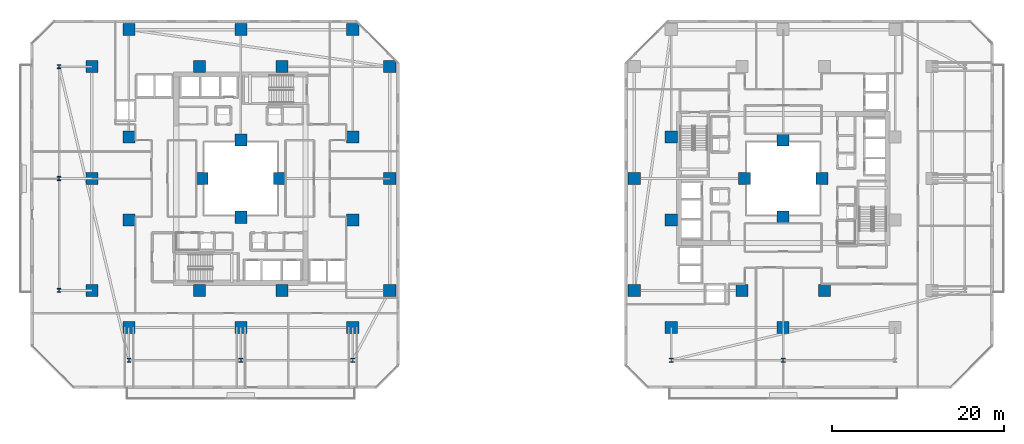
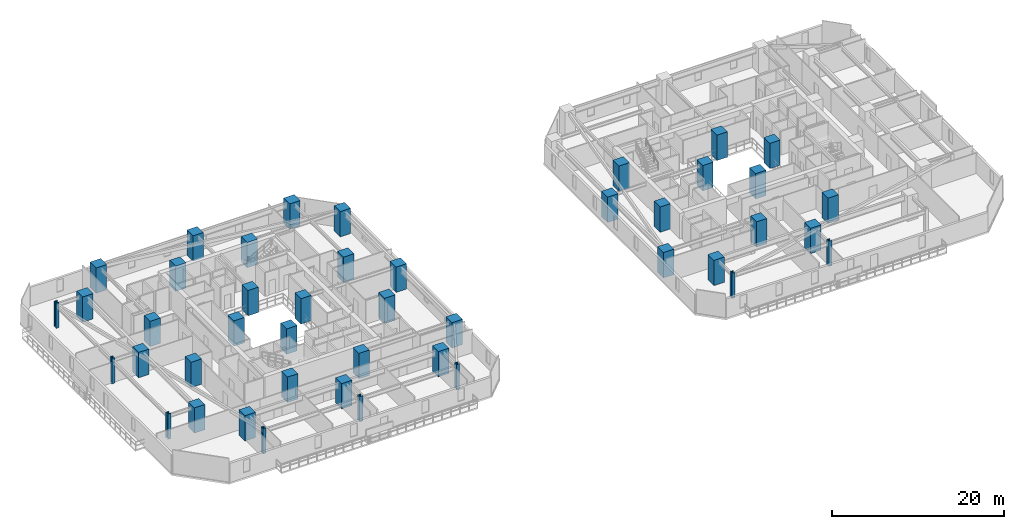
# One storey, part 1 of 33: 44 columns.
"""IFC4 building model written with IfcOpenShell, lengths in metres."""

import ifcopenshell
import ifcopenshell.guid

model = None  # the IFC model being written
_history = None  # IfcOwnerHistory: only IFC2X3 demands one
_inside = {}  # id of a spatial element -> (the spatial element, [elements in it])
_under = {}  # id of a project, library or spatial element -> (it, [spatial elements below it])
_declared = {}  # id of a project -> (the project, [libraries it declares])
_typed = {}  # id of a type object -> (the type object, [elements of that type])
_made_of = {}  # id of a material, layer set ... -> (it, [elements and type objects made of it])


def new_model(schema):
    """Start an empty IFC model of exactly this schema.

    Asked for "IFC4X3", IfcOpenShell would pick the latest addendum, in which some entities
    have other attributes; the version numbers below select the first issue.
    IFC2X3 requires an IfcOwnerHistory on every rooted entity: one is made here for all.
    """
    global model, _history
    if schema == "IFC4X3":
        model = ifcopenshell.file(schema_version=(4, 3, 0, 0))
    else:
        model = ifcopenshell.file(schema=schema)
    _inside.clear()
    _under.clear()
    _declared.clear()
    _typed.clear()
    _made_of.clear()
    _history = None
    if model.schema == "IFC2X3":
        org = make("IfcOrganization", Name="unknown")
        user = make(
            "IfcPersonAndOrganization",
            ThePerson=make("IfcPerson", FamilyName="unknown"),
            TheOrganization=org,
        )
        app = make(
            "IfcApplication",
            ApplicationDeveloper=org,
            Version="unknown",
            ApplicationFullName="unknown",
            ApplicationIdentifier="unknown",
        )
        _history = make(
            "IfcOwnerHistory",
            OwningUser=user,
            OwningApplication=app,
            ChangeAction="ADDED",
            CreationDate=0,
        )
    return model


def make(cls, **values):
    """One entity of the class cls with the attributes given. An attribute that is None is left unset."""
    return model.create_entity(
        cls, **{name: value for name, value in values.items() if value is not None}
    )


def rooted(cls, **values):
    """An entity with a GlobalId (a new one), such as an element, a storey or a relation."""
    return make(cls, GlobalId=ifcopenshell.guid.new(), OwnerHistory=_history, **values)


def si_unit(unit_type, name, prefix=None):
    """IfcSIUnit, for example si_unit("LENGTHUNIT", "METRE", prefix="MILLI")."""
    return make("IfcSIUnit", UnitType=unit_type, Prefix=prefix, Name=name)


def assignment(units):
    """IfcUnitAssignment: the units of a project."""
    return None if units is None else make("IfcUnitAssignment", Units=units)


def point(xyz):
    """IfcCartesianPoint."""
    return None if xyz is None else make("IfcCartesianPoint", Coordinates=xyz)


def direction(xyz):
    """IfcDirection."""
    return None if xyz is None else make("IfcDirection", DirectionRatios=xyz)


def frame(location, z_axis=None, x_axis=None):
    """IfcAxis2Placement3D, a coordinate frame: its origin and axes. An axis left out is left unset."""
    return make(
        "IfcAxis2Placement3D",
        Location=point(location),
        Axis=direction(z_axis),
        RefDirection=direction(x_axis),
    )


def frame_2d(location, x_axis=None):
    """IfcAxis2Placement2D, a coordinate frame in the plane: its origin and x axis."""
    return make(
        "IfcAxis2Placement2D", Location=point(location), RefDirection=direction(x_axis)
    )


def origin():
    """The frame at (0, 0, 0) with its axes left unset."""
    return frame((0.0, 0.0, 0.0))


def origin_2d():
    """The frame at (0, 0) in the plane with its x axis left unset."""
    return frame_2d((0.0, 0.0))


def place(relative_to, where):
    """IfcLocalPlacement: puts the frame where relative to a parent placement (None: the world)."""
    return make(
        "IfcLocalPlacement", PlacementRelTo=relative_to, RelativePlacement=where
    )


def context(
    kind, dimensions, precision=None, world=None, true_north=None, identifier=None
):
    """IfcGeometricRepresentationContext, for example the 3D "Model" context."""
    return make(
        "IfcGeometricRepresentationContext",
        ContextIdentifier=identifier,
        ContextType=kind,
        CoordinateSpaceDimension=dimensions,
        Precision=precision,
        WorldCoordinateSystem=world,
        TrueNorth=true_north,
    )


def subcontext(parent, identifier, kind, view, scale=None):
    """IfcGeometricRepresentationSubContext, for example "Body" below "Model"."""
    return make(
        "IfcGeometricRepresentationSubContext",
        ContextIdentifier=identifier,
        ContextType=kind,
        ParentContext=parent,
        TargetScale=scale,
        TargetView=view,
    )


def project(units=None, contexts=None):
    """IfcProject with its units and contexts."""
    return rooted(
        "IfcProject",
        Name="project",
        RepresentationContexts=contexts,
        UnitsInContext=assignment(units),
    )


def spatial(cls, under=None, at=None, **own):
    """A site, building, storey or space (cls), placed at a placement, below another one or the project."""
    s = rooted(cls, ObjectPlacement=at, **own)
    if under is not None:
        _under.setdefault(under.id(), (under, []))[1].append(s)
    return s


def profile(cls, at=None, kind="AREA", **sizes):
    """A parametric profile (cls). Its sizes go by their IFC names, for example OverallWidth=200.0."""
    return make(cls, ProfileType=kind, Position=at, **sizes)


def rectangle(**sizes):
    """IfcRectangleProfileDef."""
    return profile("IfcRectangleProfileDef", **sizes)


def i_section(**sizes):
    """IfcIShapeProfileDef."""
    return profile("IfcIShapeProfileDef", **sizes)


def extrude(swept, where, along, depth):
    """IfcExtrudedAreaSolid: the profile swept, set in the frame where, extruded along a direction by depth."""
    return make(
        "IfcExtrudedAreaSolid",
        SweptArea=swept,
        Position=where,
        ExtrudedDirection=direction(along),
        Depth=depth,
    )


def shape(context_of_items, identifier, shape_type, items):
    """IfcShapeRepresentation: the items that make up one representation, for example the "Body"."""
    return make(
        "IfcShapeRepresentation",
        ContextOfItems=context_of_items,
        RepresentationIdentifier=identifier,
        RepresentationType=shape_type,
        Items=items,
    )


def material(Name=None, Category=None):
    """IfcMaterial."""
    return make("IfcMaterial", Name=Name, Category=Category)


def material_profile(
    of_material, cross_section, Name=None, Category=None, Priority=None
):
    """IfcMaterialProfile: a cross section and its material."""
    return make(
        "IfcMaterialProfile",
        Name=Name,
        Material=of_material,
        Profile=cross_section,
        Priority=Priority,
        Category=Category,
    )


def profile_set(profiles, Name=None, composite=None):
    """IfcMaterialProfileSet."""
    return make(
        "IfcMaterialProfileSet",
        Name=Name,
        MaterialProfiles=profiles,
        CompositeProfile=composite,
    )


def made_of(thing, what):
    """Note that an element or type object is made of a material, layer set ...; save() writes the relation."""
    if what is not None:
        _made_of.setdefault(what.id(), (what, []))[1].append(thing)
    return thing


def type_object(cls, material=None, **own):
    """A type object (cls), such as IfcWallType, which elements share."""
    return made_of(rooted(cls, **own), material)


def element(
    cls,
    number,
    at=None,
    inside=None,
    cuts=None,
    type_object=None,
    material=None,
    context=None,
    identifier="Body",
    shape_type=None,
    held_by="IfcProductDefinitionShape",
    body=None,
    shapes=None,
    **own,
):
    """One element of the class cls, such as IfcWall. Its Tag is "e" and its number.

    at: its placement. inside: the storey or other place that contains it. cuts: it is an
    opening in that element (IfcRelVoidsElement). A single representation is given by context,
    identifier, shape_type and body (its items); several are given by shapes. held_by: the class
    of the entity that holds the representations. save() writes the other relations.
    """
    e = rooted(cls, Tag="e%d" % number, ObjectPlacement=at, **own)
    if body is not None:
        shapes = [shape(context, identifier, shape_type, body)]
    if shapes is not None:
        e.Representation = make(held_by, Representations=shapes)
    if inside is not None:
        _inside.setdefault(inside.id(), (inside, []))[1].append(e)
    if cuts is not None:
        rooted(
            "IfcRelVoidsElement", RelatingBuildingElement=cuts, RelatedOpeningElement=e
        )
    if type_object is not None:
        _typed.setdefault(type_object.id(), (type_object, []))[1].append(e)
    return made_of(e, material)


def aggregate(whole, parts):
    """IfcRelAggregates: a whole, such as a stair, and the parts it consists of."""
    return rooted("IfcRelAggregates", RelatingObject=whole, RelatedObjects=parts)


def save(model, path):
    """Write the relations noted so far, then the file.

    IfcRelAggregates (storeys below a building ...), IfcRelContainedInSpatialStructure (elements
    in a storey), IfcRelDefinesByType, IfcRelAssociatesMaterial and IfcRelDeclares: one each for
    every whole, place, type object, material and project.
    """
    for whole, parts in _under.values():
        aggregate(whole, parts)
    for where, things in _inside.values():
        rooted(
            "IfcRelContainedInSpatialStructure",
            RelatedElements=things,
            RelatingStructure=where,
        )
    for kind, things in _typed.values():
        rooted("IfcRelDefinesByType", RelatedObjects=things, RelatingType=kind)
    for what, things in _made_of.values():
        rooted("IfcRelAssociatesMaterial", RelatedObjects=things, RelatingMaterial=what)
    for by, libraries in _declared.values():
        rooted("IfcRelDeclares", RelatingContext=by, RelatedDefinitions=libraries)
    model.write(path)


model = new_model("IFC4")

# Units and contexts
model_context = context("Model", 3, precision=1e-05, world=origin(), true_north=direction((0.0, 1.0)))
body_context = subcontext(model_context, "Body", "Model", "MODEL_VIEW")
ifc_project = project(units=[si_unit("LENGTHUNIT", "METRE"), si_unit("AREAUNIT", "SQUARE_METRE"), si_unit("VOLUMEUNIT", "CUBIC_METRE"), si_unit("PLANEANGLEUNIT", "RADIAN"), si_unit("MASSUNIT", "GRAM", prefix="KILO")], contexts=[model_context])

# Site, building, storey
site_placement = place(None, origin())
site = spatial("IfcSite", under=ifc_project, at=site_placement, CompositionType="ELEMENT")
building_placement = place(site_placement, origin())
building = spatial("IfcBuilding", under=site, at=building_placement, Name="Thornwick Lancets Civic Towers", CompositionType="ELEMENT")
storey_placement = place(building_placement, frame((0.0, 0.0, 42.300048828125)))
storey = spatial("IfcBuildingStorey", under=building, at=storey_placement, Name="L10", CompositionType="ELEMENT", Elevation=42.300048828125)

# Columns
ifc_material_1 = material(Name="Concrete C60/75", Category="concrete")
ifc_material_profile_1 = material_profile(ifc_material_1, rectangle(XDim=1.39990234375, YDim=1.39990234375, at=origin_2d()), Name="RC 1400x1400")
ifc_profile_set_1 = profile_set([ifc_material_profile_1], Name="Concrete C60/75")
column_type_1 = type_object("IfcColumnType", Name="COL_RC_1400", PredefinedType="COLUMN", material=ifc_profile_set_1)
for number, where, z_axis, x_axis, name in (
    (1, (12.5, 9.699951171875, 0.0), (0.0, 0.0, 1.0), (1.0, 0.0, 0.0), "L10 Spine Mega-Column A01"),
    (2, (25.5, 9.699951171875, 0.0), (0.0, 0.0, 1.0), (1.0, 0.0, 0.0), "L10 Spine Mega-Column A02"),
    (3, (38.5, 9.699951171875, 0.0), (0.0, 0.0, 1.0), (1.0, 0.0, 0.0), "L10 Spine Mega-Column A03"),
    (4, (42.800048828125, 14.0, 0.0), (0.0, 0.0, 1.0), (1.0, 0.0, 0.0), "L10 Spine Mega-Column A04"),
    (5, (42.800048828125, 27.0, 0.0), (0.0, 0.0, 1.0), (1.0, 0.0, 0.0), "L10 Spine Mega-Column A05"),
    (6, (42.800048828125, 40.0, 0.0), (0.0, 0.0, 1.0), (1.0, 0.0, 0.0), "L10 Spine Mega-Column A06"),
    (7, (12.5, 44.300048828125, 0.0), (0.0, 0.0, 1.0), (1.0, 0.0, 0.0), "L10 Spine Mega-Column A07"),
    (8, (25.5, 44.300048828125, 0.0), (0.0, 0.0, 1.0), (1.0, 0.0, 0.0), "L10 Spine Mega-Column A08"),
    (9, (38.5, 44.300048828125, 0.0), (0.0, 0.0, 1.0), (1.0, 0.0, 0.0), "L10 Spine Mega-Column A09"),
    (10, (8.199951171875, 14.0, 0.0), (0.0, 0.0, 1.0), (1.0, 0.0, 0.0), "L10 Spine Mega-Column A10"),
    (11, (8.199951171875, 27.0, 0.0), (0.0, 0.0, 1.0), (1.0, 0.0, 0.0), "L10 Spine Mega-Column A11"),
    (12, (8.199951171875, 40.0, 0.0), (0.0, 0.0, 1.0), (1.0, 0.0, 0.0), "L10 Spine Mega-Column A12"),
    (13, (12.5, 22.199951171875, 0.0), (0.0, 0.0, 1.0), (1.0, 0.0, 0.0), "L10 Spine Mega-Column A13"),
    (14, (38.5, 22.199951171875, 0.0), (0.0, 0.0, 1.0), (1.0, 0.0, 0.0), "L10 Spine Mega-Column A14"),
    (15, (12.5, 31.800048828125, 0.0), (0.0, 0.0, 1.0), (1.0, 0.0, 0.0), "L10 Spine Mega-Column A15"),
    (16, (38.5, 31.800048828125, 0.0), (0.0, 0.0, 1.0), (1.0, 0.0, 0.0), "L10 Spine Mega-Column A16"),
    (17, (20.699951171875, 14.0, 0.0), (0.0, 0.0, 1.0), (1.0, 0.0, 0.0), "L10 Spine Mega-Column A17"),
    (18, (30.300048828125, 14.0, 0.0), (0.0, 0.0, 1.0), (1.0, 0.0, 0.0), "L10 Spine Mega-Column A18"),
    (19, (20.699951171875, 40.0, 0.0), (0.0, 0.0, 1.0), (1.0, 0.0, 0.0), "L10 Spine Mega-Column A19"),
    (20, (30.300048828125, 40.0, 0.0), (0.0, 0.0, 1.0), (1.0, 0.0, 0.0), "L10 Spine Mega-Column A20"),
    (21, (25.5, 22.5, 0.0), (0.0, 0.0, 1.0), (1.0, 0.0, 0.0), "L10 Spine Mega-Column A21"),
    (22, (25.5, 31.5, 0.0), (0.0, 0.0, 1.0), (1.0, 0.0, 0.0), "L10 Spine Mega-Column A22"),
    (23, (21.0, 27.0, 0.0), (0.0, 0.0, 1.0), (1.0, 0.0, 0.0), "L10 Spine Mega-Column A23"),
    (24, (30.0, 27.0, 0.0), (0.0, 0.0, 1.0), (1.0, 0.0, 0.0), "L10 Spine Mega-Column A24"),
    (25, (71.199951171875, 14.0, 0.0), (0.0, 0.0, 1.0), (1.0, 0.0, 0.0), "L10 Spine Mega-Column B07"),
    (26, (71.199951171875, 27.0, 0.0), (0.0, 0.0, 1.0), (1.0, 0.0, 0.0), "L10 Spine Mega-Column B08"),
    (27, (88.5, 9.699951171875, 0.0), (0.0, 0.0, 1.0), (1.0, 0.0, 0.0), "L10 Spine Mega-Column B11"),
    (28, (75.5, 9.699951171875, 0.0), (0.0, 0.0, 1.0), (1.0, 0.0, 0.0), "L10 Spine Mega-Column B12"),
    (29, (93.300048828125, 14.0, 0.0), (0.0, 0.0, 1.0), (1.0, 0.0, 0.0), "L10 Spine Mega-Column B13"),
    (30, (83.699951171875, 14.0, 0.0), (0.0, 0.0, 1.0), (1.0, 0.0, 0.0), "L10 Spine Mega-Column B15"),
    (31, (75.5, 22.199951171875, 0.0), (0.0, 0.0, 1.0), (1.0, 0.0, 0.0), "L10 Spine Mega-Column B19"),
    (32, (75.5, 31.800048828125, 0.0), (0.0, 0.0, 1.0), (1.0, 0.0, 0.0), "L10 Spine Mega-Column B20"),
    (33, (93.0, 27.0, 0.0), (0.0, 0.0, 1.0), (1.0, 0.0, 0.0), "L10 Spine Mega-Column B21"),
    (34, (84.0, 27.0, 0.0), (0.0, 0.0, 1.0), (1.0, 0.0, 0.0), "L10 Spine Mega-Column B22"),
    (35, (88.5, 22.5, 0.0), (0.0, 0.0, 1.0), (1.0, 0.0, 0.0), "L10 Spine Mega-Column B23"),
    (36, (88.5, 31.5, 0.0), (0.0, 0.0, 1.0), (1.0, 0.0, 0.0), "L10 Spine Mega-Column B24"),
):
    element("IfcColumn", number, at=place(storey_placement, frame(where, z_axis=z_axis, x_axis=x_axis)), inside=storey, type_object=column_type_1, Name=name, PredefinedType="COLUMN", context=body_context, shape_type="SweptSolid", body=[
        extrude(rectangle(XDim=1.39990234375, YDim=1.39990234375, at=origin_2d()), origin(), (0.0, 0.0, 1.0), 3.599853515625),
    ])
ifc_material_2 = material(Name="Steel S460M", Category="steel")
ifc_material_profile_2 = material_profile(ifc_material_2, i_section(OverallWidth=0.424072265625, OverallDepth=0.474609375, WebThickness=0.047607421875, FlangeThickness=0.076904296875, FilletRadius=0.01513671875, at=origin_2d()), Name="UKC 356x406x634")
ifc_profile_set_2 = profile_set([ifc_material_profile_2], Name="Steel S460M")
column_type_2 = type_object("IfcColumnType", Name="COL_UKC_634", PredefinedType="COLUMN", material=ifc_profile_set_2)
for number, where, z_axis, x_axis, name in (
    (37, (12.5, 5.89990234375, 0.0), (0.0, 0.0, 1.0), (1.0, 0.0, 0.0), "L10 Block Perimeter Column A01"),
    (38, (25.5, 5.89990234375, 0.0), (0.0, 0.0, 1.0), (1.0, 0.0, 0.0), "L10 Block Perimeter Column A02"),
    (39, (38.5, 5.89990234375, 0.0), (0.0, 0.0, 1.0), (1.0, 0.0, 0.0), "L10 Block Perimeter Column A03"),
    (40, (4.39990234375, 14.0, 0.0), (0.0, 0.0, 1.0), (1.0, 0.0, 0.0), "L10 Block Perimeter Column A10"),
    (41, (4.39990234375, 27.0, 0.0), (0.0, 0.0, 1.0), (1.0, 0.0, 0.0), "L10 Block Perimeter Column A11"),
    (42, (4.39990234375, 40.0, 0.0), (0.0, 0.0, 1.0), (1.0, 0.0, 0.0), "L10 Block Perimeter Column A12"),
    (43, (88.5, 5.89990234375, 0.0), (0.0, 0.0, 1.0), (1.0, 0.0, 0.0), "L10 Block Perimeter Column B11"),
    (44, (75.5, 5.89990234375, 0.0), (0.0, 0.0, 1.0), (1.0, 0.0, 0.0), "L10 Block Perimeter Column B12"),
):
    element("IfcColumn", number, at=place(storey_placement, frame(where, z_axis=z_axis, x_axis=x_axis)), inside=storey, type_object=column_type_2, Name=name, PredefinedType="COLUMN", context=body_context, shape_type="SweptSolid", body=[
        extrude(i_section(OverallWidth=0.424072265625, OverallDepth=0.474609375, WebThickness=0.047607421875, FlangeThickness=0.076904296875, FilletRadius=0.01513671875, at=origin_2d()), origin(), (0.0, 0.0, 1.0), 3.599853515625),
    ])

save(model, "model.ifc")
